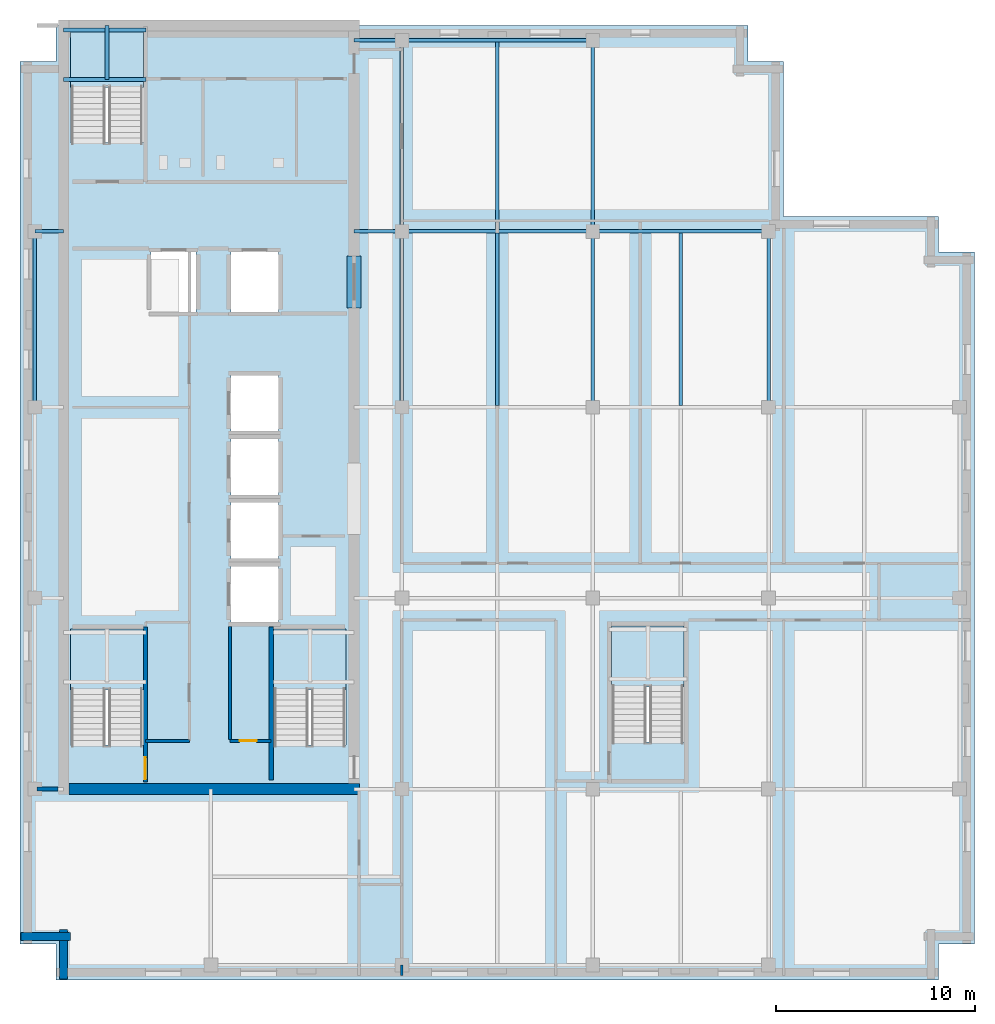
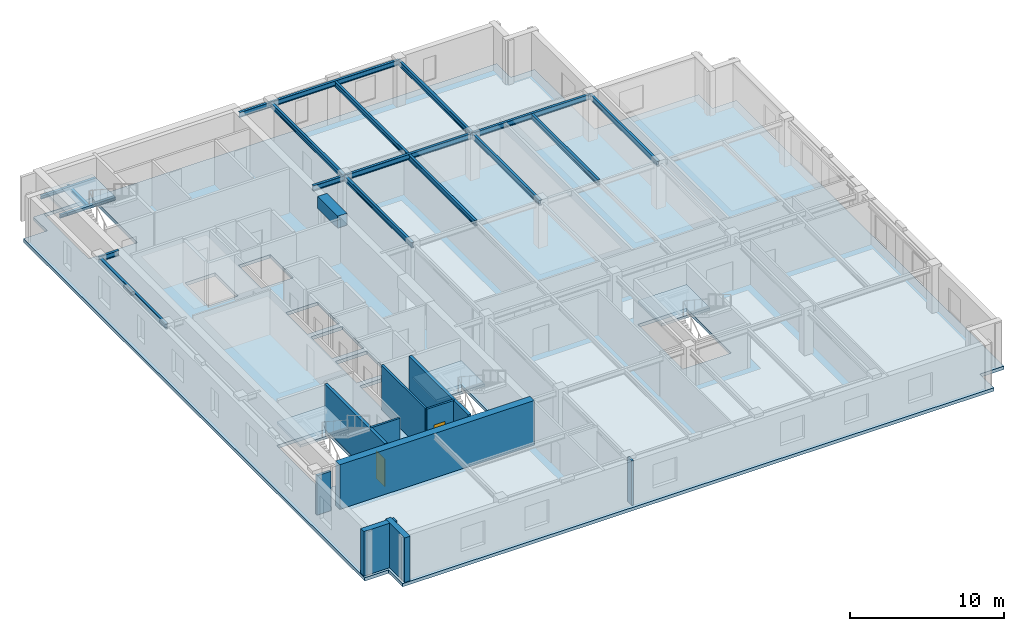
# One storey, part 2 of 11: 19 beams, 10 walls, 5 slabs, 2 doors, 2 openings, 4 elements without a shape of their own.
"""IFC4 building model written with IfcOpenShell, lengths in metres."""

from ifc_helpers import new_model, si_unit, direction, frame, frame_2d, origin, origin_2d, place, context, subcontext, project, spatial, polyline, rectangle, i_section, outline, extrude, material, layer, layer_set, material_profile, profile_set, type_object, element, fill, aggregate, save


model = new_model("IFC4")

# Units and contexts
model_context = context("Model", 3, precision=1e-05, world=origin(), true_north=direction((0.0, 1.0)))
body_context = subcontext(model_context, "Body", "Model", "MODEL_VIEW")
ifc_project = project(units=[si_unit("LENGTHUNIT", "METRE"), si_unit("AREAUNIT", "SQUARE_METRE"), si_unit("VOLUMEUNIT", "CUBIC_METRE"), si_unit("PLANEANGLEUNIT", "RADIAN"), si_unit("MASSUNIT", "GRAM", prefix="KILO")], contexts=[model_context])

# Site, building, storey
site_placement = place(None, origin())
site = spatial("IfcSite", under=ifc_project, at=site_placement, CompositionType="ELEMENT")
building_placement = place(site_placement, origin())
building = spatial("IfcBuilding", under=site, at=building_placement, Name="Norrvale University Quadrangle", CompositionType="ELEMENT")
storey_placement = place(building_placement, frame((0.0, 0.0, 288.60009765625)))
storey = spatial("IfcBuildingStorey", under=building, at=storey_placement, Name="L73", CompositionType="ELEMENT", Elevation=288.60009765625)

# Beams
ifc_material_1 = material(Name="Steel 350W", Category="steel")
ifc_material_profile_1 = material_profile(ifc_material_1, i_section(OverallWidth=0.180908203125, OverallDepth=0.4169921875, WebThickness=0.010986328125, FlangeThickness=0.018310546875, FilletRadius=0.011962890625, at=origin_2d()), Name="Steel 350W")
ifc_profile_set_1 = profile_set([ifc_material_profile_1], Name="Steel 350W")
beam_type_1 = type_object("IfcBeamType", Name="Beam Atrium W410x85", PredefinedType="BEAM", material=ifc_profile_set_1)
beam_1_placement = place(storey_placement, frame((19.199951171875, 37.64990234375, 3.331298828125), z_axis=(1.0, 0.0, 0.0), x_axis=(0.0, 1.0, 0.0)))
element("IfcBeam", 1, at=beam_1_placement, inside=storey, type_object=beam_type_1, Name="Beam Atrium W410x85 BM-L73-GX013", PredefinedType="BEAM", context=body_context, shape_type="SweptSolid", body=[
    extrude(i_section(OverallWidth=0.180908203125, OverallDepth=0.4169921875, WebThickness=0.010986328125, FlangeThickness=0.018310546875, FilletRadius=0.011962890625, at=origin_2d()), origin(), (0.0, 0.0, 1.0), 9.60009765625),
])
beam_2_placement = place(storey_placement, frame((28.800048828125, 37.64990234375, 3.331298828125), z_axis=(1.0, 0.0, 0.0), x_axis=(0.0, 1.0, 0.0)))
element("IfcBeam", 2, at=beam_2_placement, inside=storey, type_object=beam_type_1, Name="Beam Atrium W410x85 BM-L73-GX014", PredefinedType="BEAM", context=body_context, shape_type="SweptSolid", body=[
    extrude(i_section(OverallWidth=0.180908203125, OverallDepth=0.4169921875, WebThickness=0.010986328125, FlangeThickness=0.018310546875, FilletRadius=0.011962890625, at=origin_2d()), origin(), (0.0, 0.0, 1.0), 8.849853515625),
])
beam_3_placement = place(storey_placement, frame((19.199951171875, 47.25, 3.331298828125), z_axis=(1.0, 0.0, 0.0), x_axis=(0.0, 1.0, 0.0)))
element("IfcBeam", 3, at=beam_3_placement, inside=storey, type_object=beam_type_1, Name="Beam Atrium W410x85 BM-L73-GX015", PredefinedType="BEAM", context=body_context, shape_type="SweptSolid", body=[
    extrude(i_section(OverallWidth=0.180908203125, OverallDepth=0.4169921875, WebThickness=0.010986328125, FlangeThickness=0.018310546875, FilletRadius=0.011962890625, at=origin_2d()), origin(), (0.0, 0.0, 1.0), 9.60009765625),
])
for number, where, z_axis, x_axis, name in (
    (4, (0.75, 28.800048828125, 3.331298828125), (0.0, 1.0, 0.0), (-1.0, 0.0, 0.0), "Beam Atrium W410x85 BM-L73-GY018"),
    (5, (19.199951171875, 28.800048828125, 3.331298828125), (0.0, 1.0, 0.0), (-1.0, 0.0, 0.0), "Beam Atrium W410x85 BM-L73-GY022"),
):
    element("IfcBeam", number, at=place(storey_placement, frame(where, z_axis=z_axis, x_axis=x_axis)), inside=storey, type_object=beam_type_1, Name=name, PredefinedType="BEAM", context=body_context, shape_type="SweptSolid", body=[
        extrude(i_section(OverallWidth=0.180908203125, OverallDepth=0.4169921875, WebThickness=0.010986328125, FlangeThickness=0.018310546875, FilletRadius=0.011962890625, at=origin_2d()), origin(), (0.0, 0.0, 1.0), 8.849853515625),
    ])
beam_4_placement = place(storey_placement, frame((19.199951171875, 37.64990234375, 3.331298828125), z_axis=(0.0, 1.0, 0.0), x_axis=(-1.0, 0.0, 0.0)))
element("IfcBeam", 6, at=beam_4_placement, inside=storey, type_object=beam_type_1, Name="Beam Atrium W410x85 BM-L73-GY023", PredefinedType="BEAM", context=body_context, shape_type="SweptSolid", body=[
    extrude(i_section(OverallWidth=0.180908203125, OverallDepth=0.4169921875, WebThickness=0.010986328125, FlangeThickness=0.018310546875, FilletRadius=0.011962890625, at=origin_2d()), origin(), (0.0, 0.0, 1.0), 9.60009765625),
])
beam_5_placement = place(storey_placement, frame((28.800048828125, 28.800048828125, 3.331298828125), z_axis=(0.0, 1.0, 0.0), x_axis=(-1.0, 0.0, 0.0)))
element("IfcBeam", 7, at=beam_5_placement, inside=storey, type_object=beam_type_1, Name="Beam Atrium W410x85 BM-L73-GY027", PredefinedType="BEAM", context=body_context, shape_type="SweptSolid", body=[
    extrude(i_section(OverallWidth=0.180908203125, OverallDepth=0.4169921875, WebThickness=0.010986328125, FlangeThickness=0.018310546875, FilletRadius=0.011962890625, at=origin_2d()), origin(), (0.0, 0.0, 1.0), 8.849853515625),
])
beam_6_placement = place(storey_placement, frame((28.800048828125, 37.64990234375, 3.331298828125), z_axis=(0.0, 1.0, 0.0), x_axis=(-1.0, 0.0, 0.0)))
element("IfcBeam", 8, at=beam_6_placement, inside=storey, type_object=beam_type_1, Name="Beam Atrium W410x85 BM-L73-GY028", PredefinedType="BEAM", context=body_context, shape_type="SweptSolid", body=[
    extrude(i_section(OverallWidth=0.180908203125, OverallDepth=0.4169921875, WebThickness=0.010986328125, FlangeThickness=0.018310546875, FilletRadius=0.011962890625, at=origin_2d()), origin(), (0.0, 0.0, 1.0), 9.60009765625),
])
beam_7_placement = place(storey_placement, frame((37.64990234375, 28.800048828125, 3.331298828125), z_axis=(0.0, 1.0, 0.0), x_axis=(-1.0, 0.0, 0.0)))
element("IfcBeam", 9, at=beam_7_placement, inside=storey, type_object=beam_type_1, Name="Beam Atrium W410x85 BM-L73-GY032", PredefinedType="BEAM", context=body_context, shape_type="SweptSolid", body=[
    extrude(i_section(OverallWidth=0.180908203125, OverallDepth=0.4169921875, WebThickness=0.010986328125, FlangeThickness=0.018310546875, FilletRadius=0.011962890625, at=origin_2d()), origin(), (0.0, 0.0, 1.0), 8.849853515625),
])
beam_8_placement = place(storey_placement, frame((0.75, 37.64990234375, 3.331298828125), z_axis=(1.0, 0.0, 0.0), x_axis=(0.0, 1.0, 0.0)))
element("IfcBeam", 10, at=beam_8_placement, inside=storey, type_object=beam_type_1, Name="Beam Atrium W410x85 BM-L73-GCW041", PredefinedType="BEAM", context=body_context, shape_type="SweptSolid", body=[
    extrude(i_section(OverallWidth=0.180908203125, OverallDepth=0.4169921875, WebThickness=0.010986328125, FlangeThickness=0.018310546875, FilletRadius=0.011962890625, at=origin_2d()), origin(), (0.0, 0.0, 1.0), 1.449951171875),
])
for number, where, z_axis, x_axis, name in (
    (11, (16.800048828125, 37.64990234375, 3.331298828125), (1.0, 0.0, 0.0), (0.0, 1.0, 0.0), "Beam Atrium W410x85 BM-L73-GCE042"),
    (12, (16.800048828125, 47.25, 3.331298828125), (1.0, 0.0, 0.0), (0.0, 1.0, 0.0), "Beam Atrium W410x85 BM-L73-GCE043"),
):
    element("IfcBeam", number, at=place(storey_placement, frame(where, z_axis=z_axis, x_axis=x_axis)), inside=storey, type_object=beam_type_1, Name=name, PredefinedType="BEAM", context=body_context, shape_type="SweptSolid", body=[
        extrude(i_section(OverallWidth=0.180908203125, OverallDepth=0.4169921875, WebThickness=0.010986328125, FlangeThickness=0.018310546875, FilletRadius=0.011962890625, at=origin_2d()), origin(), (0.0, 0.0, 1.0), 2.39990234375),
    ])
ifc_material_2 = material(Name="Concrete C80/95", Category="concrete")
ifc_material_profile_2 = material_profile(ifc_material_2, rectangle(XDim=0.699951171875, YDim=0.949951171875, at=origin_2d()), Name="Concrete C80/95")
ifc_profile_set_2 = profile_set([ifc_material_profile_2], Name="Concrete C80/95")
beam_type_2 = type_object("IfcBeamType", Name="Beam Core Link 700x950", PredefinedType="LINTEL", material=ifc_profile_set_2)
beam_9_placement = place(storey_placement, frame((16.800048828125, 33.800048828125, 3.06494140625), z_axis=(0.0, 1.0, 0.0), x_axis=(-1.0, 0.0, 0.0)))
element("IfcBeam", 13, at=beam_9_placement, inside=storey, type_object=beam_type_2, Name="Core Coupling Lintel Beam L73-2", PredefinedType="LINTEL", context=body_context, shape_type="SweptSolid", body=[
    extrude(rectangle(XDim=0.699951171875, YDim=0.949951171875, at=origin_2d()), origin(), (0.0, 0.0, 1.0), 2.599853515625),
])
ifc_material_profile_3 = material_profile(ifc_material_1, i_section(OverallWidth=0.177978515625, OverallDepth=0.406982421875, WebThickness=0.0078125, FlangeThickness=0.0126953125, FilletRadius=0.011962890625, at=origin_2d()), Name="Steel 350W")
ifc_profile_set_3 = profile_set([ifc_material_profile_3], Name="Steel 350W")
beam_type_3 = type_object("IfcBeamType", Name="Beam Roof Purlin W410x60", PredefinedType="USERDEFINED", material=ifc_profile_set_3)
beam_10_placement = place(storey_placement, frame((24.0, 28.890380859375, 3.33642578125), z_axis=(0.0, 1.0, 0.0), x_axis=(-1.0, 0.0, 0.0)))
element("IfcBeam", 14, at=beam_10_placement, inside=storey, type_object=beam_type_3, Name="Beam Roof Purlin W410x60 BM-L73-J047", ObjectType="PURLIN", PredefinedType="USERDEFINED", context=body_context, shape_type="SweptSolid", body=[
    extrude(i_section(OverallWidth=0.177978515625, OverallDepth=0.406982421875, WebThickness=0.0078125, FlangeThickness=0.0126953125, FilletRadius=0.011962890625, at=origin_2d()), origin(), (0.0, 0.0, 1.0), 8.669189453125),
])
beam_11_placement = place(storey_placement, frame((24.0, 37.740478515625, 3.33642578125), z_axis=(0.0, 1.0, 0.0), x_axis=(-1.0, 0.0, 0.0)))
element("IfcBeam", 15, at=beam_11_placement, inside=storey, type_object=beam_type_3, Name="Beam Roof Purlin W410x60 BM-L73-J048", ObjectType="PURLIN", PredefinedType="USERDEFINED", context=body_context, shape_type="SweptSolid", body=[
    extrude(i_section(OverallWidth=0.177978515625, OverallDepth=0.406982421875, WebThickness=0.0078125, FlangeThickness=0.0126953125, FilletRadius=0.011962890625, at=origin_2d()), origin(), (0.0, 0.0, 1.0), 9.4189453125),
])
beam_12_placement = place(storey_placement, frame((33.22509765625, 28.890380859375, 3.33642578125), z_axis=(0.0, 1.0, 0.0), x_axis=(-1.0, 0.0, 0.0)))
element("IfcBeam", 16, at=beam_12_placement, inside=storey, type_object=beam_type_3, Name="Beam Roof Purlin W410x60 BM-L73-J051", ObjectType="PURLIN", PredefinedType="USERDEFINED", context=body_context, shape_type="SweptSolid", body=[
    extrude(i_section(OverallWidth=0.177978515625, OverallDepth=0.406982421875, WebThickness=0.0078125, FlangeThickness=0.0126953125, FilletRadius=0.011962890625, at=origin_2d()), origin(), (0.0, 0.0, 1.0), 8.669189453125),
])
ifc_material_profile_4 = material_profile(ifc_material_1, i_section(OverallWidth=0.201904296875, OverallDepth=0.2470703125, WebThickness=0.00732421875, FlangeThickness=0.010986328125, FilletRadius=0.011962890625, at=origin_2d()), Name="Steel 350W")
ifc_profile_set_4 = profile_set([ifc_material_profile_4], Name="Steel 350W")
beam_type_4 = type_object("IfcBeamType", Name="Beam Stair W250x49", PredefinedType="BEAM", material=ifc_profile_set_4)
for number, where, z_axis, x_axis, name in (
    (17, (2.199951171875, 45.2900390625, 1.576416015625), (1.0, 0.0, 0.0), (0.0, 1.0, 0.0), "Stair Mid-Landing Front Beam ST-02 L73"),
    (18, (2.199951171875, 47.77001953125, 1.576416015625), (1.0, 0.0, 0.0), (0.0, 1.0, 0.0), "Stair Mid-Landing Rear Beam ST-02 L73"),
):
    element("IfcBeam", number, at=place(storey_placement, frame(where, z_axis=z_axis, x_axis=x_axis)), inside=storey, type_object=beam_type_4, Name=name, PredefinedType="BEAM", context=body_context, shape_type="SweptSolid", body=[
        extrude(i_section(OverallWidth=0.201904296875, OverallDepth=0.2470703125, WebThickness=0.00732421875, FlangeThickness=0.010986328125, FilletRadius=0.011962890625, at=origin_2d()), origin(), (0.0, 0.0, 1.0), 4.14013671875),
    ])
ifc_material_profile_5 = material_profile(ifc_material_1, i_section(OverallWidth=0.202880859375, OverallDepth=0.202880859375, WebThickness=0.007080078125, FlangeThickness=0.010986328125, FilletRadius=0.010009765625, at=origin_2d()), Name="Steel 350W")
ifc_profile_set_5 = profile_set([ifc_material_profile_5], Name="Steel 350W")
beam_type_5 = type_object("IfcBeamType", Name="Beam Trim W200x46", PredefinedType="BEAM", material=ifc_profile_set_5)
beam_13_placement = place(storey_placement, frame((4.375, 45.2900390625, 1.598388671875), z_axis=(0.0, 1.0, 0.0), x_axis=(-1.0, 0.0, 0.0)))
element("IfcBeam", 19, at=beam_13_placement, inside=storey, type_object=beam_type_5, Name="Stair Mid-Landing Cross Beam ST-02 L73", PredefinedType="BEAM", context=body_context, shape_type="SweptSolid", body=[
    extrude(i_section(OverallWidth=0.202880859375, OverallDepth=0.202880859375, WebThickness=0.007080078125, FlangeThickness=0.010986328125, FilletRadius=0.010009765625, at=origin_2d()), origin(), (0.0, 0.0, 1.0), 2.7099609375),
])

# Stair, slab
ifc_material_3 = material(Name="Concrete C40/50", Category="concrete")
stair_type = type_object("IfcStairType", Name="Stair Tower Typ 3800", PredefinedType="TWO_STRAIGHT_RUN_STAIR", material=ifc_material_3)
stair_1_placement = place(storey_placement, origin())
stair_1 = element("IfcStair", 20, at=stair_1_placement, inside=storey, type_object=stair_type, Name="Exit Stair ST-01 L73", PredefinedType="TWO_STRAIGHT_RUN_STAIR")
ifc_layer_1 = layer(ifc_material_3, 0.199951171875, Name="Concrete C40/50")
ifc_layer_set_1 = layer_set([ifc_layer_1], Name="Concrete C40/50")
slab_type_1 = type_object("IfcSlabType", Name="Slab Landing 200", PredefinedType="LANDING", material=ifc_layer_set_1)
slab_1_placement = place(storey_placement, frame((0.0, 0.0, 1.699951171875)))
slab_1 = element("IfcSlab", 21, at=slab_1_placement, type_object=slab_type_1, Name="Exit Stair ST-01 L73 Mid Landing", PredefinedType="LANDING", context=body_context, shape_type="SweptSolid", body=[
    extrude(outline(polyline([(2.550048828125, 14.590087890625), (6.199951171875, 14.590087890625), (6.199951171875, 17.64990234375), (2.550048828125, 17.64990234375), (2.550048828125, 14.590087890625)])), origin(), (0.0, 0.0, 1.0), 0.199951171875),
])
aggregate(stair_1, [slab_1])

stair_2_placement = place(storey_placement, origin())
stair_2 = element("IfcStair", 22, at=stair_2_placement, inside=storey, type_object=stair_type, Name="Exit Stair ST-02 L73", PredefinedType="TWO_STRAIGHT_RUN_STAIR")
slab_2_placement = place(storey_placement, frame((0.0, 0.0, 1.699951171875)))
slab_2 = element("IfcSlab", 23, at=slab_2_placement, type_object=slab_type_1, Name="Exit Stair ST-02 L73 Mid Landing", PredefinedType="LANDING", context=body_context, shape_type="SweptSolid", body=[
    extrude(outline(polyline([(2.550048828125, 44.889892578125), (6.199951171875, 44.889892578125), (6.199951171875, 47.949951171875), (2.550048828125, 47.949951171875), (2.550048828125, 44.889892578125)])), origin(), (0.0, 0.0, 1.0), 0.199951171875),
])
aggregate(stair_2, [slab_2])

stair_3_placement = place(storey_placement, origin())
stair_3 = element("IfcStair", 24, at=stair_3_placement, inside=storey, type_object=stair_type, Name="Exit Stair ST-03 L73", PredefinedType="TWO_STRAIGHT_RUN_STAIR")
slab_3_placement = place(storey_placement, frame((0.0, 0.0, 1.699951171875)))
slab_3 = element("IfcSlab", 25, at=slab_3_placement, type_object=slab_type_1, Name="Exit Stair ST-03 L73 Mid Landing", PredefinedType="LANDING", context=body_context, shape_type="SweptSolid", body=[
    extrude(outline(polyline([(12.75, 14.590087890625), (16.39990234375, 14.590087890625), (16.39990234375, 17.64990234375), (12.75, 17.64990234375), (12.75, 14.590087890625)])), origin(), (0.0, 0.0, 1.0), 0.199951171875),
])
aggregate(stair_3, [slab_3])

stair_4_placement = place(storey_placement, origin())
stair_4 = element("IfcStair", 26, at=stair_4_placement, inside=storey, type_object=stair_type, Name="Exit Stair ST-04 L73", PredefinedType="TWO_STRAIGHT_RUN_STAIR")
slab_4_placement = place(storey_placement, frame((0.0, 0.0, 1.699951171875)))
slab_4 = element("IfcSlab", 27, at=slab_4_placement, type_object=slab_type_1, Name="Exit Stair ST-04 L73 Mid Landing", PredefinedType="LANDING", context=body_context, shape_type="SweptSolid", body=[
    extrude(outline(polyline([(29.75, 14.739990234375), (33.39990234375, 14.739990234375), (33.39990234375, 17.800048828125), (29.75, 17.800048828125), (29.75, 14.739990234375)])), origin(), (0.0, 0.0, 1.0), 0.199951171875),
])
aggregate(stair_4, [slab_4])

# Slab
ifc_layer_2 = layer(ifc_material_3, 0.260009765625, Name="Concrete C40/50")
ifc_layer_set_2 = layer_set([ifc_layer_2], Name="Concrete C40/50")
slab_type_2 = type_object("IfcSlabType", Name="Slab Tower Typ 260", PredefinedType="FLOOR", material=ifc_layer_set_2)
slab_5_placement = place(storey_placement, frame((0.0, 0.0, -0.260009765625)))
element("IfcSlab", 28, at=slab_5_placement, inside=storey, type_object=slab_type_2, Name="Tower L73 Floor Slab", PredefinedType="FLOOR", context=body_context, shape_type="SweptSolid", body=[
    extrude(outline(polyline([(1.800048828125, 0.0), (46.199951171875, 0.0), (46.199951171875, 1.800048828125), (48.0, 1.800048828125), (48.0, 36.60009765625), (46.199951171875, 36.60009765625), (46.199951171875, 38.39990234375), (38.39990234375, 38.39990234375), (38.39990234375, 46.199951171875), (36.60009765625, 46.199951171875), (36.60009765625, 48.0), (1.800048828125, 48.0), (1.800048828125, 46.199951171875), (0.0, 46.199951171875), (0.0, 1.800048828125), (1.800048828125, 1.800048828125), (1.800048828125, 0.0)]), holes=[polyline([(2.550048828125, 11.81005859375), (6.199951171875, 11.81005859375), (6.199951171875, 17.64990234375), (2.550048828125, 17.64990234375), (2.550048828125, 11.81005859375)]), polyline([(2.550048828125, 42.110107421875), (6.199951171875, 42.110107421875), (6.199951171875, 47.949951171875), (2.550048828125, 47.949951171875), (2.550048828125, 42.110107421875)]), polyline([(12.75, 11.81005859375), (16.39990234375, 11.81005859375), (16.39990234375, 17.64990234375), (12.75, 17.64990234375), (12.75, 11.81005859375)]), polyline([(29.75, 11.9599609375), (33.39990234375, 11.9599609375), (33.39990234375, 17.800048828125), (29.75, 17.800048828125), (29.75, 11.9599609375)]), polyline([(10.60009765625, 18.0), (13.0, 18.0), (13.0, 20.800048828125), (10.60009765625, 20.800048828125), (10.60009765625, 18.0)]), polyline([(10.60009765625, 21.199951171875), (13.0, 21.199951171875), (13.0, 24.0), (10.60009765625, 24.0), (10.60009765625, 21.199951171875)]), polyline([(10.60009765625, 24.39990234375), (13.0, 24.39990234375), (13.0, 27.199951171875), (10.60009765625, 27.199951171875), (10.60009765625, 24.39990234375)]), polyline([(10.60009765625, 27.60009765625), (13.0, 27.60009765625), (13.0, 30.39990234375), (10.60009765625, 30.39990234375), (10.60009765625, 27.60009765625)]), polyline([(6.60009765625, 33.60009765625), (8.85009765625, 33.60009765625), (8.85009765625, 36.60009765625), (6.60009765625, 36.60009765625), (6.60009765625, 33.60009765625)]), polyline([(10.60009765625, 33.60009765625), (13.0, 33.60009765625), (13.0, 36.60009765625), (10.60009765625, 36.60009765625), (10.60009765625, 33.60009765625)])]), origin(), (0.0, 0.0, 1.0), 0.260009765625),
])

# Walls
ifc_material_4 = material(Name="Buff Norman Clay Brick Masonry", Category="masonry")
ifc_layer_3 = layer(ifc_material_4, 0.419921875, Name="Buff Norman Clay Brick Masonry")
ifc_layer_set_3 = layer_set([ifc_layer_3], Name="Buff Norman Clay Brick Masonry")
wall_type_1 = type_object("IfcWallType", Name="Wall Buff Brick 420", PredefinedType="SOLIDWALL", material=ifc_layer_set_3)
for number, where, z_axis, x_axis, name in (
    (29, (0.0400390625, 2.18994140625, 0.0), (0.0, 0.0, 1.0), (1.0, 0.0, 0.0), "Exterior Brick Facade Wall L73-15.1"),
    (30, (2.18994140625, 2.5400390625, 0.0), (0.0, 0.0, 1.0), (0.0, -1.0, 0.0), "Exterior Brick Facade Wall L73-16.1"),
):
    element("IfcWall", number, at=place(storey_placement, frame(where, z_axis=z_axis, x_axis=x_axis)), inside=storey, type_object=wall_type_1, Name=name, PredefinedType="SOLIDWALL", context=body_context, shape_type="SweptSolid", body=[
        extrude(rectangle(XDim=2.5, YDim=0.419921875, at=frame_2d((1.25, 0.0))), origin(), (0.0, 0.0, 1.0), 3.539794921875),
    ])
ifc_material_5 = material(Name="Concrete C60/75", Category="concrete")
ifc_layer_4 = layer(ifc_material_5, 0.550048828125, Name="Concrete C60/75")
ifc_layer_set_4 = layer_set([ifc_layer_4], Name="Concrete C60/75")
wall_type_2 = type_object("IfcWallType", Name="Wall Core 550", PredefinedType="SHEAR", material=ifc_layer_set_4)
wall_1_placement = place(storey_placement, frame((2.47509765625, 9.60009765625, 0.0), z_axis=(0.0, 0.0, 1.0), x_axis=(1.0, 0.0, 0.0)))
element("IfcWall", 31, at=wall_1_placement, inside=storey, type_object=wall_type_2, Name="Tower Core Shear Wall L73-S", PredefinedType="SHEAR", context=body_context, shape_type="SweptSolid", body=[
    extrude(rectangle(XDim=14.599853515625, YDim=0.550048828125, at=frame_2d((7.2998046875, 0.0))), origin(), (0.0, 0.0, 1.0), 3.539794921875),
])
ifc_material_6 = material(Name="Standard Academic Gypsum Partition")
ifc_layer_5 = layer(ifc_material_6, 0.125, Name="Standard Academic Gypsum Partition")
ifc_layer_set_5 = layer_set([ifc_layer_5], Name="Standard Academic Gypsum Partition")
wall_type_3 = type_object("IfcWallType", Name="Wall Gypsum Academic 125", PredefinedType="PARTITIONING", material=ifc_layer_set_5)
wall_2_placement = place(storey_placement, frame((19.199951171875, 0.219970703125, 0.0), z_axis=(0.0, 0.0, 1.0), x_axis=(0.0, 1.0, 0.0)))
element("IfcWall", 32, at=wall_2_placement, inside=storey, type_object=wall_type_3, Name="Interior Partition WL-L73-SE-W0", PredefinedType="PARTITIONING", context=body_context, shape_type="SweptSolid", body=[
    extrude(rectangle(XDim=0.530029296875, YDim=0.125, at=frame_2d((0.26513671875, 0.0))), origin(), (0.0, 0.0, 1.0), 3.539794921875),
])

# Wall, opening, door
ifc_material_7 = material(Name="Fire-Rated Gypsum Stud Partition")
ifc_layer_6 = layer(ifc_material_7, 0.14990234375, Name="Fire-Rated Gypsum Stud Partition")
ifc_layer_set_6 = layer_set([ifc_layer_6], Name="Fire-Rated Gypsum Stud Partition")
wall_type_4 = type_object("IfcWallType", Name="Wall Gypsum Corridor 150", PredefinedType="PARTITIONING", material=ifc_layer_set_6)
wall_3_placement = place(storey_placement, frame((10.550048828125, 12.02001953125, 0.0), z_axis=(0.0, 0.0, 1.0), x_axis=(1.0, 0.0, 0.0)))
wall_3 = element("IfcWall", 33, at=wall_3_placement, inside=storey, type_object=wall_type_4, Name="Interior Partition WL-L73-SC-NR", PredefinedType="PARTITIONING", context=body_context, shape_type="SweptSolid", body=[
    extrude(rectangle(XDim=2.079833984375, YDim=0.14990234375, at=frame_2d((1.0400390625, 0.0))), origin(), (0.0, 0.0, 1.0), 3.539794921875),
])
opening_1_placement = place(wall_3_placement, frame((0.5, 0.0, 0.0)))
opening_1 = element("IfcOpeningElement", 34, at=opening_1_placement, cuts=wall_3, Name="Opening D10", PredefinedType="OPENING", context=body_context, shape_type="SweptSolid", body=[
    extrude(rectangle(XDim=0.85009765625, YDim=2.10009765625, at=frame_2d((0.425048828125, 1.050048828125))), frame((0.0, 0.0869140625, 0.0), z_axis=(0.0, -1.0, 0.0), x_axis=(1.0, 0.0, 0.0)), (0.0, 0.0, 1.0), 0.173828125),
])
ifc_material_8 = material(Name="Hollow Steel 350W Riser Fire Door", Category="steel")
door_type_1 = type_object("IfcDoorType", Name="Door Riser 850x2100", OperationType="NOTDEFINED", PredefinedType="DOOR", material=ifc_material_8)
door_1_placement = place(opening_1_placement, origin())
door_1 = element("IfcDoor", 35, at=door_1_placement, inside=storey, type_object=door_type_1, Name="Door Riser 850x2100 DR-L73-IDF", OperationType="SINGLE_SWING_RIGHT", OverallHeight=2.10009765625, OverallWidth=0.85009765625, PredefinedType="DOOR", context=body_context, shape_type="SweptSolid", body=[
    extrude(rectangle(XDim=0.85009765625, YDim=2.10009765625, at=frame_2d((0.425048828125, 1.050048828125))), frame((0.0, 0.02490234375, 0.0), z_axis=(0.0, -1.0, 0.0), x_axis=(1.0, 0.0, 0.0)), (0.0, 0.0, 1.0), 0.050048828125),
])
fill(opening_1, door_1)

# Walls
wall_4_placement = place(storey_placement, frame((10.550048828125, 12.094970703125, 0.0), z_axis=(0.0, 0.0, 1.0), x_axis=(0.0, 1.0, 0.0)))
element("IfcWall", 36, at=wall_4_placement, inside=storey, type_object=wall_type_4, Name="Interior Partition WL-L73-SC-WR", PredefinedType="PARTITIONING", context=body_context, shape_type="SweptSolid", body=[
    extrude(rectangle(XDim=5.679931640625, YDim=0.14990234375, at=frame_2d((2.83984375, 0.0))), origin(), (0.0, 0.0, 1.0), 3.539794921875),
])
wall_5_placement = place(storey_placement, frame((6.320068359375, 12.02001953125, 0.0), z_axis=(0.0, 0.0, 1.0), x_axis=(1.0, 0.0, 0.0)))
element("IfcWall", 37, at=wall_5_placement, inside=storey, type_object=wall_type_4, Name="Interior Partition WL-L73-REC-S", PredefinedType="PARTITIONING", context=body_context, shape_type="SweptSolid", body=[
    extrude(rectangle(XDim=2.199951171875, YDim=0.14990234375, at=frame_2d((1.10009765625, 0.0))), origin(), (0.0, 0.0, 1.0), 3.539794921875),
])
ifc_material_9 = material(Name="Concrete Blockwork 20 MPa Rated Wall", Category="masonry")
ifc_layer_7 = layer(ifc_material_9, 0.199951171875, Name="Concrete Blockwork 20 MPa Rated Wall")
ifc_layer_set_7 = layer_set([ifc_layer_7], Name="Concrete Blockwork 20 MPa Rated Wall")
wall_type_5 = type_object("IfcWallType", Name="Wall Lobby 200", PredefinedType="SOLIDWALL", material=ifc_layer_set_7)
wall_6_placement = place(storey_placement, frame((0.85009765625, 9.60009765625, 0.0), z_axis=(0.0, 0.0, 1.0), x_axis=(1.0, 0.0, 0.0)))
element("IfcWall", 38, at=wall_6_placement, inside=storey, type_object=wall_type_5, Name="Interior Partition WL-L73-CWRET-S", PredefinedType="SOLIDWALL", context=body_context, shape_type="SweptSolid", body=[
    extrude(rectangle(XDim=1.06982421875, YDim=0.199951171875, at=frame_2d((0.534912109375, 0.0))), origin(), (0.0, 0.0, 1.0), 3.122802734375),
])

# Wall, opening, door
ifc_material_10 = material(Name="Concrete Blockwork 20 MPa Fire Shaft", Category="masonry")
ifc_layer_8 = layer(ifc_material_10, 0.219970703125, Name="Concrete Blockwork 20 MPa Fire Shaft")
ifc_layer_set_8 = layer_set([ifc_layer_8], Name="Concrete Blockwork 20 MPa Fire Shaft")
wall_type_6 = type_object("IfcWallType", Name="Wall Shaft 220", PredefinedType="SOLIDWALL", material=ifc_layer_set_8)
wall_7_placement = place(storey_placement, frame((6.31005859375, 9.949951171875, 0.0), z_axis=(0.0, 0.0, 1.0), x_axis=(0.0, 1.0, 0.0)))
wall_7 = element("IfcWall", 39, at=wall_7_placement, inside=storey, type_object=wall_type_6, Name="Stair ST-01 East Shaft Wall L73", PredefinedType="SOLIDWALL", context=body_context, shape_type="SweptSolid", body=[
    extrude(rectangle(XDim=7.81005859375, YDim=0.219970703125, at=frame_2d((3.905029296875, 0.0))), origin(), (0.0, 0.0, 1.0), 3.539794921875),
])
opening_2_placement = place(wall_7_placement, frame((0.139892578125, 0.0, 0.0)))
opening_2 = element("IfcOpeningElement", 40, at=opening_2_placement, cuts=wall_7, Name="Opening D02", PredefinedType="OPENING", context=body_context, shape_type="SweptSolid", body=[
    extrude(rectangle(XDim=1.10009765625, YDim=2.199951171875, at=frame_2d((0.550048828125, 1.10009765625))), frame((0.0, 0.1220703125, 0.0), z_axis=(0.0, -1.0, 0.0), x_axis=(1.0, 0.0, 0.0)), (0.0, 0.0, 1.0), 0.243896484375),
])
ifc_material_11 = material(Name="Hollow Steel 350W Fire Door", Category="steel")
door_type_2 = type_object("IfcDoorType", Name="Door Stair Exit 1100x2200", OperationType="NOTDEFINED", PredefinedType="DOOR", material=ifc_material_11)
door_2_placement = place(opening_2_placement, origin())
door_2 = element("IfcDoor", 41, at=door_2_placement, inside=storey, type_object=door_type_2, Name="Door Stair Exit 1100x2200 DR-L73-ST01", OperationType="SINGLE_SWING_LEFT", OverallHeight=2.199951171875, OverallWidth=1.10009765625, PredefinedType="DOOR", context=body_context, shape_type="SweptSolid", body=[
    extrude(rectangle(XDim=1.10009765625, YDim=2.199951171875, at=frame_2d((0.550048828125, 1.10009765625))), frame((0.0, 0.02490234375, 0.0), z_axis=(0.0, -1.0, 0.0), x_axis=(1.0, 0.0, 0.0)), (0.0, 0.0, 1.0), 0.050048828125),
])
fill(opening_2, door_2)

# Wall
wall_8_placement = place(storey_placement, frame((12.639892578125, 10.050048828125, 0.0), z_axis=(0.0, 0.0, 1.0), x_axis=(0.0, 1.0, 0.0)))
element("IfcWall", 42, at=wall_8_placement, inside=storey, type_object=wall_type_6, Name="Stair ST-03 West Shaft Wall L73", PredefinedType="SOLIDWALL", context=body_context, shape_type="SweptSolid", body=[
    extrude(rectangle(XDim=7.7099609375, YDim=0.219970703125, at=frame_2d((3.85498046875, 0.0))), origin(), (0.0, 0.0, 1.0), 3.539794921875),
])

save(model, "model.ifc")
